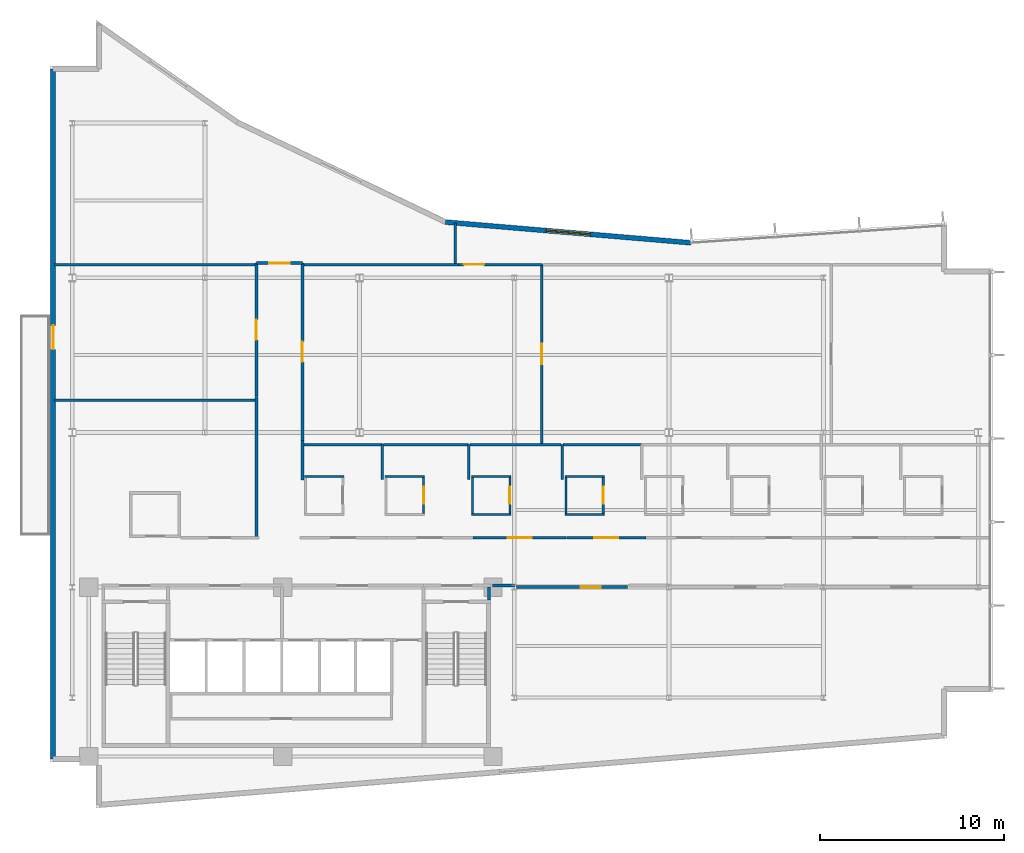
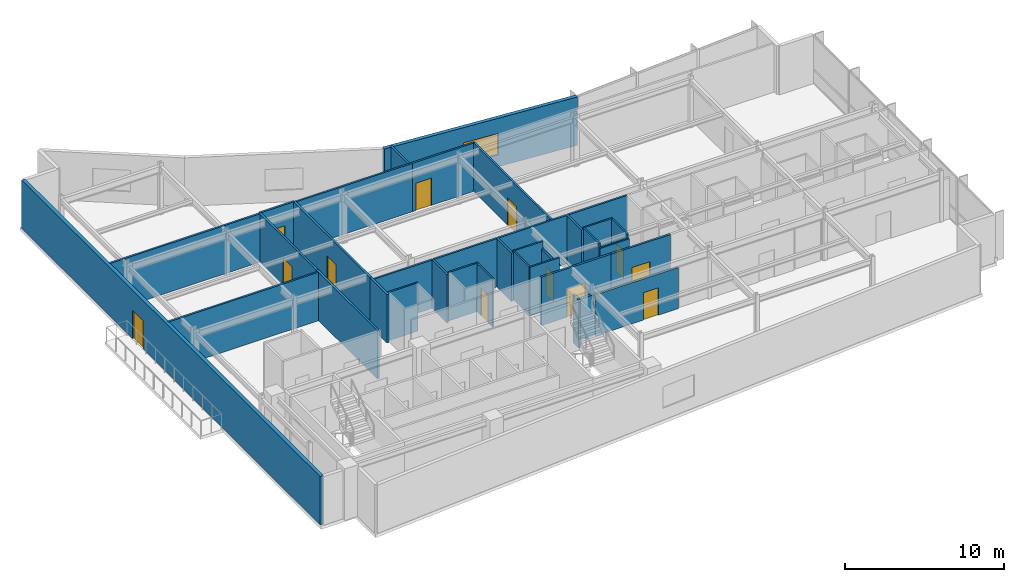
# One storey, part 12 of 17: 36 walls, 12 doors, 1 window, 13 openings.
"""IFC4 building model written with IfcOpenShell, lengths in metres."""

from ifc_helpers import new_model, si_unit, direction, frame, frame_2d, origin, place, context, subcontext, project, spatial, rectangle, extrude, material, layer, layer_set, type_object, element, fill, save


model = new_model("IFC4")

# Units and contexts
model_context = context("Model", 3, precision=1e-05, world=origin(), true_north=direction((0.0, 1.0)))
body_context = subcontext(model_context, "Body", "Model", "MODEL_VIEW")
ifc_project = project(units=[si_unit("LENGTHUNIT", "METRE"), si_unit("AREAUNIT", "SQUARE_METRE"), si_unit("VOLUMEUNIT", "CUBIC_METRE"), si_unit("PLANEANGLEUNIT", "RADIAN"), si_unit("MASSUNIT", "GRAM", prefix="KILO")], contexts=[model_context])

# Site, building, storey
site_placement = place(None, origin())
site = spatial("IfcSite", under=ifc_project, at=site_placement, CompositionType="ELEMENT")
building_placement = place(site_placement, origin())
building = spatial("IfcBuilding", under=site, at=building_placement, Name="Varnakote Quay Hospital", CompositionType="ELEMENT")
storey_placement = place(building_placement, frame((0.0, 0.0, 227.64990234375)))
storey = spatial("IfcBuildingStorey", under=building, at=storey_placement, Name="L56", CompositionType="ELEMENT", Elevation=227.64990234375)

# Walls
ifc_material_1 = material(Name="Fire-rated acoustic gypsum stud wall", Category="gypsum")
ifc_layer_1 = layer(ifc_material_1, 0.159912109375)
ifc_layer_set_1 = layer_set([ifc_layer_1], Name="Fire-rated acoustic gypsum stud wall")
wall_type_1 = type_object("IfcWallType", Name="WL-COMP-160", PredefinedType="PARTITIONING", material=ifc_layer_set_1)
wall_1_placement = place(storey_placement, frame((23.820068359375, 11.300048828125, 0.0), z_axis=(0.0, 0.0, 1.0), x_axis=(0.0, 1.0, 0.0)))
element("IfcWall", 1, at=wall_1_placement, inside=storey, type_object=wall_type_1, Name="L56 East Stair Vestibule East Wall", PredefinedType="PARTITIONING", context=body_context, shape_type="SweptSolid", body=[
    extrude(rectangle(XDim=0.699951171875, YDim=0.159912109375, at=frame_2d((0.35009765625, 0.0))), origin(), (0.0, 0.0, 1.0), 3.710205078125),
])
wall_2_placement = place(storey_placement, frame((24.02001953125, 12.080078125, 0.0), z_axis=(0.0, 0.0, 1.0), x_axis=(1.0, 0.0, 0.0)))
element("IfcWall", 2, at=wall_2_placement, inside=storey, type_object=wall_type_1, Name="L56 Corridor South Gap Wall", PredefinedType="PARTITIONING", context=body_context, shape_type="SweptSolid", body=[
    extrude(rectangle(XDim=1.21875, YDim=0.159912109375, at=frame_2d((0.609375, 0.0))), origin(), (0.0, 0.0, 1.0), 3.152099609375),
])
ifc_material_2 = material(Name="Moisture-resistant bathroom partition", Category="gypsum")
ifc_layer_2 = layer(ifc_material_2, 0.114990234375)
ifc_layer_set_2 = layer_set([ifc_layer_2], Name="Moisture-resistant bathroom partition")
wall_type_2 = type_object("IfcWallType", Name="WL-ENS-115", PredefinedType="PARTITIONING", material=ifc_layer_set_2)
wall_3_placement = place(storey_placement, frame((13.804931640625, 18.017578125, 0.0), z_axis=(0.0, 0.0, 1.0), x_axis=(1.0, 0.0, 0.0)))
element("IfcWall", 3, at=wall_3_placement, inside=storey, type_object=wall_type_2, Name="L56 Inpatient En-Suite Bathroom 01 N Wall", PredefinedType="PARTITIONING", context=body_context, shape_type="SweptSolid", body=[
    extrude(rectangle(XDim=2.150146484375, YDim=0.114990234375, at=frame_2d((1.0751953125, 0.0))), origin(), (0.0, 0.0, 1.0), 3.710205078125),
])
wall_4_placement = place(storey_placement, frame((18.18505859375, 18.017578125, 0.0), z_axis=(0.0, 0.0, 1.0), x_axis=(1.0, 0.0, 0.0)))
element("IfcWall", 4, at=wall_4_placement, inside=storey, type_object=wall_type_2, Name="L56 Inpatient En-Suite Bathroom 02 N Wall", PredefinedType="PARTITIONING", context=body_context, shape_type="SweptSolid", body=[
    extrude(rectangle(XDim=2.14990234375, YDim=0.114990234375, at=frame_2d((1.074951171875, 0.0))), origin(), (0.0, 0.0, 1.0), 3.710205078125),
])

# Wall, opening, door
wall_5_placement = place(storey_placement, frame((20.277587890625, 16.010009765625, 0.0), z_axis=(0.0, 0.0, 1.0), x_axis=(0.0, 1.0, 0.0)))
wall_5 = element("IfcWall", 5, at=wall_5_placement, inside=storey, type_object=wall_type_2, Name="L56 Inpatient En-Suite Bathroom 02 E Wall", PredefinedType="PARTITIONING", context=body_context, shape_type="SweptSolid", body=[
    extrude(rectangle(XDim=1.949951171875, YDim=0.114990234375, at=frame_2d((0.97509765625, 0.0))), origin(), (0.0, 0.0, 1.0), 3.710205078125),
])
opening_1_placement = place(wall_5_placement, frame((0.514892578125, 0.0, 0.0)))
opening_1 = element("IfcOpeningElement", 6, at=opening_1_placement, cuts=wall_5, Name="Opening D-L56-ENS02", PredefinedType="OPENING", context=body_context, shape_type="SweptSolid", body=[
    extrude(rectangle(XDim=0.919921875, YDim=2.10009765625, at=frame_2d((0.4599609375, 1.050048828125))), frame((0.0, 0.0673828125, 0.0), z_axis=(0.0, -1.0, 0.0), x_axis=(1.0, 0.0, 0.0)), (0.0, 0.0, 1.0), 0.135009765625),
])
ifc_material_3 = material(Name="Moisture-sealed en-suite bathroom door")
door_type_1 = type_object("IfcDoorType", Name="DR-ENS-920x2100", OperationType="NOTDEFINED", PredefinedType="DOOR", material=ifc_material_3)
door_1_placement = place(opening_1_placement, origin())
door_1 = element("IfcDoor", 7, at=door_1_placement, inside=storey, type_object=door_type_1, Name="L56 Inpatient En-Suite Bathroom 02 Door", OperationType="SINGLE_SWING_RIGHT", OverallHeight=2.10009765625, OverallWidth=0.919921875, PredefinedType="DOOR", context=body_context, shape_type="SweptSolid", body=[
    extrude(rectangle(XDim=0.919921875, YDim=2.10009765625, at=frame_2d((0.4599609375, 1.050048828125))), frame((0.0, 0.02490234375, 0.0), z_axis=(0.0, -1.0, 0.0), x_axis=(1.0, 0.0, 0.0)), (0.0, 0.0, 1.0), 0.050048828125),
])
fill(opening_1, door_1)

# Walls
for number, where, z_axis, x_axis, name in (
    (8, (22.875, 15.952392578125, 0.0), (0.0, 0.0, 1.0), (1.0, 0.0, 0.0), "L56 Inpatient En-Suite Bathroom 03 S Wall"),
    (9, (22.875, 18.017578125, 0.0), (0.0, 0.0, 1.0), (1.0, 0.0, 0.0), "L56 Inpatient En-Suite Bathroom 03 N Wall"),
):
    element("IfcWall", number, at=place(storey_placement, frame(where, z_axis=z_axis, x_axis=x_axis)), inside=storey, type_object=wall_type_2, Name=name, PredefinedType="PARTITIONING", context=body_context, shape_type="SweptSolid", body=[
        extrude(rectangle(XDim=2.14990234375, YDim=0.114990234375, at=frame_2d((1.074951171875, 0.0))), origin(), (0.0, 0.0, 1.0), 3.710205078125),
    ])
wall_6_placement = place(storey_placement, frame((22.9326171875, 16.010009765625, 0.0), z_axis=(0.0, 0.0, 1.0), x_axis=(0.0, 1.0, 0.0)))
element("IfcWall", 10, at=wall_6_placement, inside=storey, type_object=wall_type_2, Name="L56 Inpatient En-Suite Bathroom 03 W Wall", PredefinedType="PARTITIONING", context=body_context, shape_type="SweptSolid", body=[
    extrude(rectangle(XDim=1.949951171875, YDim=0.114990234375, at=frame_2d((0.97509765625, 0.0))), origin(), (0.0, 0.0, 1.0), 3.710205078125),
])

# Wall, opening, door
wall_7_placement = place(storey_placement, frame((24.967529296875, 16.010009765625, 0.0), z_axis=(0.0, 0.0, 1.0), x_axis=(0.0, 1.0, 0.0)))
wall_7 = element("IfcWall", 11, at=wall_7_placement, inside=storey, type_object=wall_type_2, Name="L56 Inpatient En-Suite Bathroom 03 E Wall", PredefinedType="PARTITIONING", context=body_context, shape_type="SweptSolid", body=[
    extrude(rectangle(XDim=1.949951171875, YDim=0.114990234375, at=frame_2d((0.97509765625, 0.0))), origin(), (0.0, 0.0, 1.0), 3.156982421875),
])
opening_2_placement = place(wall_7_placement, frame((0.514892578125, 0.0, 0.0)))
opening_2 = element("IfcOpeningElement", 12, at=opening_2_placement, cuts=wall_7, Name="Opening D-L56-ENS03", PredefinedType="OPENING", context=body_context, shape_type="SweptSolid", body=[
    extrude(rectangle(XDim=0.919921875, YDim=2.10009765625, at=frame_2d((0.4599609375, 1.050048828125))), frame((0.0, 0.0673828125, 0.0), z_axis=(0.0, -1.0, 0.0), x_axis=(1.0, 0.0, 0.0)), (0.0, 0.0, 1.0), 0.135009765625),
])
door_2_placement = place(opening_2_placement, origin())
door_2 = element("IfcDoor", 13, at=door_2_placement, inside=storey, type_object=door_type_1, Name="L56 Inpatient En-Suite Bathroom 03 Door", OperationType="SINGLE_SWING_LEFT", OverallHeight=2.10009765625, OverallWidth=0.919921875, PredefinedType="DOOR", context=body_context, shape_type="SweptSolid", body=[
    extrude(rectangle(XDim=0.919921875, YDim=2.10009765625, at=frame_2d((0.4599609375, 1.050048828125))), frame((0.0, 0.02490234375, 0.0), z_axis=(0.0, -1.0, 0.0), x_axis=(1.0, 0.0, 0.0)), (0.0, 0.0, 1.0), 0.050048828125),
])
fill(opening_2, door_2)

# Walls
wall_8_placement = place(storey_placement, frame((27.945068359375, 15.952392578125, 0.0), z_axis=(0.0, 0.0, 1.0), x_axis=(1.0, 0.0, 0.0)))
element("IfcWall", 14, at=wall_8_placement, inside=storey, type_object=wall_type_2, Name="L56 Inpatient En-Suite Bathroom 04 S Wall", PredefinedType="PARTITIONING", context=body_context, shape_type="SweptSolid", body=[
    extrude(rectangle(XDim=2.14990234375, YDim=0.114990234375, at=frame_2d((1.074951171875, 0.0))), origin(), (0.0, 0.0, 1.0), 3.378173828125),
])
wall_9_placement = place(storey_placement, frame((27.945068359375, 18.017578125, 0.0), z_axis=(0.0, 0.0, 1.0), x_axis=(1.0, 0.0, 0.0)))
element("IfcWall", 15, at=wall_9_placement, inside=storey, type_object=wall_type_2, Name="L56 Inpatient En-Suite Bathroom 04 N Wall", PredefinedType="PARTITIONING", context=body_context, shape_type="SweptSolid", body=[
    extrude(rectangle(XDim=2.14990234375, YDim=0.114990234375, at=frame_2d((1.074951171875, 0.0))), origin(), (0.0, 0.0, 1.0), 3.710205078125),
])
wall_10_placement = place(storey_placement, frame((28.00244140625, 16.010009765625, 0.0), z_axis=(0.0, 0.0, 1.0), x_axis=(0.0, 1.0, 0.0)))
element("IfcWall", 16, at=wall_10_placement, inside=storey, type_object=wall_type_2, Name="L56 Inpatient En-Suite Bathroom 04 W Wall", PredefinedType="PARTITIONING", context=body_context, shape_type="SweptSolid", body=[
    extrude(rectangle(XDim=1.949951171875, YDim=0.114990234375, at=frame_2d((0.97509765625, 0.0))), origin(), (0.0, 0.0, 1.0), 3.710205078125),
])

# Wall, opening, door
wall_11_placement = place(storey_placement, frame((30.03759765625, 16.010009765625, 0.0), z_axis=(0.0, 0.0, 1.0), x_axis=(0.0, 1.0, 0.0)))
wall_11 = element("IfcWall", 17, at=wall_11_placement, inside=storey, type_object=wall_type_2, Name="L56 Inpatient En-Suite Bathroom 04 E Wall", PredefinedType="PARTITIONING", context=body_context, shape_type="SweptSolid", body=[
    extrude(rectangle(XDim=1.949951171875, YDim=0.114990234375, at=frame_2d((0.97509765625, 0.0))), origin(), (0.0, 0.0, 1.0), 3.710205078125),
])
opening_3_placement = place(wall_11_placement, frame((0.514892578125, 0.0, 0.0)))
opening_3 = element("IfcOpeningElement", 18, at=opening_3_placement, cuts=wall_11, Name="Opening D-L56-ENS04", PredefinedType="OPENING", context=body_context, shape_type="SweptSolid", body=[
    extrude(rectangle(XDim=0.919921875, YDim=2.10009765625, at=frame_2d((0.4599609375, 1.050048828125))), frame((0.0, 0.0673828125, 0.0), z_axis=(0.0, -1.0, 0.0), x_axis=(1.0, 0.0, 0.0)), (0.0, 0.0, 1.0), 0.135009765625),
])
door_3_placement = place(opening_3_placement, origin())
door_3 = element("IfcDoor", 19, at=door_3_placement, inside=storey, type_object=door_type_1, Name="L56 Inpatient En-Suite Bathroom 04 Door", OperationType="SINGLE_SWING_RIGHT", OverallHeight=2.10009765625, OverallWidth=0.919921875, PredefinedType="DOOR", context=body_context, shape_type="SweptSolid", body=[
    extrude(rectangle(XDim=0.919921875, YDim=2.10009765625, at=frame_2d((0.4599609375, 1.050048828125))), frame((0.0, 0.02490234375, 0.0), z_axis=(0.0, -1.0, 0.0), x_axis=(1.0, 0.0, 0.0)), (0.0, 0.0, 1.0), 0.050048828125),
])
fill(opening_3, door_3)

# Wall, opening, window
ifc_material_4 = material(Name="Precast concrete N50 (f'c 50 MPa)", Category="concrete")
ifc_layer_3 = layer(ifc_material_4, 0.260009765625)
ifc_layer_set_3 = layer_set([ifc_layer_3], Name="Precast concrete N50 (f'c 50 MPa)")
wall_type_3 = type_object("IfcWallType", Name="WL-EXT-BRICK-260", PredefinedType="STANDARD", material=ifc_layer_set_3)
wall_12_placement = place(storey_placement, frame((34.814697265625, 30.695556640625, 0.0), z_axis=(0.0, 0.0, 1.0), x_axis=(-0.996454704935, 0.084130975344, 0.0)))
wall_12 = element("IfcWall", 20, at=wall_12_placement, inside=storey, type_object=wall_type_3, Name="L56 Brick-Faced Precast Exterior Wall", PredefinedType="STANDARD", context=body_context, shape_type="SweptSolid", body=[
    extrude(rectangle(XDim=13.401123046875, YDim=0.260009765625, at=frame_2d((6.70068359375, 0.0))), origin(), (0.0, 0.0, 1.0), 3.710205078125),
])
opening_4_placement = place(wall_12_placement, frame((5.50048828125, 0.0, 0.89990234375)))
opening_4 = element("IfcOpeningElement", 21, at=opening_4_placement, cuts=wall_12, Name="Opening WN-0231", PredefinedType="OPENING", context=body_context, shape_type="SweptSolid", body=[
    extrude(rectangle(XDim=2.39990234375, YDim=1.64990234375, at=frame_2d((1.199951171875, 0.824951171875))), frame((0.0, 0.139892578125, 0.0), z_axis=(0.0, -1.0, 0.0), x_axis=(1.0, 0.0, 0.0)), (0.0, 0.0, 1.0), 0.280029296875),
])
ifc_material_5 = material(Name="Double-glazed low-E solar glass", Category="glass")
window_type = type_object("IfcWindowType", Name="WIN-CLIN-2400x1650", PartitioningType="SINGLE_PANEL", PredefinedType="WINDOW", material=ifc_material_5)
window_placement = place(opening_4_placement, origin())
window = element("IfcWindow", 22, at=window_placement, inside=storey, type_object=window_type, Name="L56 Solar-Control Clinical Window", OverallHeight=1.64990234375, OverallWidth=2.39990234375, PartitioningType="SINGLE_PANEL", PredefinedType="WINDOW", context=body_context, shape_type="SweptSolid", body=[
    extrude(rectangle(XDim=2.39990234375, YDim=1.64990234375, at=frame_2d((1.199951171875, 0.824951171875))), frame((0.0, 0.030029296875, 0.0), z_axis=(0.0, -1.0, 0.0), x_axis=(1.0, 0.0, 0.0)), (0.0, 0.0, 1.0), 0.06005859375),
])
fill(opening_4, window)

# Wall, opening, door
wall_13_placement = place(storey_placement, frame((0.159912109375, 40.139892578125, 0.0), z_axis=(0.0, 0.0, 1.0), x_axis=(0.0, -1.0, 0.0)))
wall_13 = element("IfcWall", 23, at=wall_13_placement, inside=storey, type_object=wall_type_3, Name="L56 Healing Terrace Portal Brick Wall", PredefinedType="STANDARD", context=body_context, shape_type="SweptSolid", body=[
    extrude(rectangle(XDim=37.47998046875, YDim=0.260009765625, at=frame_2d((18.739990234375, 0.0))), origin(), (0.0, 0.0, 1.0), 3.710205078125),
])
opening_5_placement = place(wall_13_placement, frame((13.925537109375, 0.0, 0.0)))
opening_5 = element("IfcOpeningElement", 24, at=opening_5_placement, cuts=wall_13, Name="Opening DT-L56", PredefinedType="OPENING", context=body_context, shape_type="SweptSolid", body=[
    extrude(rectangle(XDim=1.300048828125, YDim=2.14990234375, at=frame_2d((0.64990234375, 1.074951171875))), frame((0.0, 0.139892578125, 0.0), z_axis=(0.0, -1.0, 0.0), x_axis=(1.0, 0.0, 0.0)), (0.0, 0.0, 1.0), 0.280029296875),
])
ifc_material_6 = material(Name="Anodised aluminium glazed terrace door", Category="aluminium")
door_type_2 = type_object("IfcDoorType", Name="DR-EXT-TERR-1300x2150", OperationType="NOTDEFINED", PredefinedType="DOOR", material=ifc_material_6)
door_4_placement = place(opening_5_placement, origin())
door_4 = element("IfcDoor", 25, at=door_4_placement, inside=storey, type_object=door_type_2, Name="L56 Waterfront Healing Terrace Door", OperationType="SINGLE_SWING_LEFT", OverallHeight=2.14990234375, OverallWidth=1.300048828125, PredefinedType="DOOR", context=body_context, shape_type="SweptSolid", body=[
    extrude(rectangle(XDim=1.300048828125, YDim=2.14990234375, at=frame_2d((0.64990234375, 1.074951171875))), frame((0.0, 0.02490234375, 0.0), z_axis=(0.0, -1.0, 0.0), x_axis=(1.0, 0.0, 0.0)), (0.0, 0.0, 1.0), 0.050048828125),
])
fill(opening_5, door_4)

# Walls
ifc_material_7 = material(Name="Smoke-proof clinical partition", Category="gypsum")
ifc_layer_4 = layer(ifc_material_7, 0.135009765625)
ifc_layer_set_4 = layer_set([ifc_layer_4], Name="Smoke-proof clinical partition")
wall_type_4 = type_object("IfcWallType", Name="WL-SMOKE-135", PredefinedType="PARTITIONING", material=ifc_layer_set_4)
for number, where, z_axis, x_axis, name in (
    (26, (11.1201171875, 22.139892578125, 0.0), (0.0, 0.0, 1.0), (-1.0, 0.0, 0.0), "L56 Clinical Interior Partition"),
    (27, (11.1201171875, 29.52001953125, 0.0), (0.0, 0.0, 1.0), (-1.0, 0.0, 0.0), "L56 Clinical Interior Partition"),
):
    element("IfcWall", number, at=place(storey_placement, frame(where, z_axis=z_axis, x_axis=x_axis)), inside=storey, type_object=wall_type_4, Name=name, PredefinedType="PARTITIONING", context=body_context, shape_type="SweptSolid", body=[
        extrude(rectangle(XDim=10.880126953125, YDim=0.135009765625, at=frame_2d((5.43994140625, 0.0))), origin(), (0.0, 0.0, 1.0), 3.710205078125),
    ])
wall_14_placement = place(storey_placement, frame((18.0400390625, 17.83251953125, 0.0), z_axis=(0.0, 0.0, 1.0), x_axis=(0.0, 1.0, 0.0)))
element("IfcWall", 28, at=wall_14_placement, inside=storey, type_object=wall_type_4, Name="L56 Clinical Interior Partition", PredefinedType="PARTITIONING", context=body_context, shape_type="SweptSolid", body=[
    extrude(rectangle(XDim=1.907470703125, YDim=0.135009765625, at=frame_2d((0.95361328125, 0.0))), origin(), (0.0, 0.0, 1.0), 3.710205078125),
])
wall_15_placement = place(storey_placement, frame((18.0400390625, 19.739990234375, 0.0), z_axis=(0.0, 0.0, 1.0), x_axis=(-1.0, 0.0, 0.0)))
element("IfcWall", 29, at=wall_15_placement, inside=storey, type_object=wall_type_4, Name="L56 Clinical Interior Partition", PredefinedType="PARTITIONING", context=body_context, shape_type="SweptSolid", body=[
    extrude(rectangle(XDim=4.260009765625, YDim=0.135009765625, at=frame_2d((2.1298828125, 0.0))), origin(), (0.0, 0.0, 1.0), 3.710205078125),
])
wall_16_placement = place(storey_placement, frame((22.72998046875, 17.83251953125, 0.0), z_axis=(0.0, 0.0, 1.0), x_axis=(0.0, 1.0, 0.0)))
element("IfcWall", 30, at=wall_16_placement, inside=storey, type_object=wall_type_4, Name="L56 Clinical Interior Partition", PredefinedType="PARTITIONING", context=body_context, shape_type="SweptSolid", body=[
    extrude(rectangle(XDim=1.907470703125, YDim=0.135009765625, at=frame_2d((0.95361328125, 0.0))), origin(), (0.0, 0.0, 1.0), 3.710205078125),
])
wall_17_placement = place(storey_placement, frame((22.72998046875, 19.739990234375, 0.0), z_axis=(0.0, 0.0, 1.0), x_axis=(-1.0, 0.0, 0.0)))
element("IfcWall", 31, at=wall_17_placement, inside=storey, type_object=wall_type_4, Name="L56 Clinical Interior Partition", PredefinedType="PARTITIONING", context=body_context, shape_type="SweptSolid", body=[
    extrude(rectangle(XDim=4.632568359375, YDim=0.135009765625, at=frame_2d((2.31640625, 0.0))), origin(), (0.0, 0.0, 1.0), 3.710205078125),
])
wall_18_placement = place(storey_placement, frame((27.800048828125, 17.83251953125, 0.0), z_axis=(0.0, 0.0, 1.0), x_axis=(0.0, 1.0, 0.0)))
element("IfcWall", 32, at=wall_18_placement, inside=storey, type_object=wall_type_4, Name="L56 Clinical Interior Partition", PredefinedType="PARTITIONING", context=body_context, shape_type="SweptSolid", body=[
    extrude(rectangle(XDim=1.907470703125, YDim=0.135009765625, at=frame_2d((0.95361328125, 0.0))), origin(), (0.0, 0.0, 1.0), 3.710205078125),
])
wall_19_placement = place(storey_placement, frame((27.742431640625, 19.739990234375, 0.0), z_axis=(0.0, 0.0, 1.0), x_axis=(-1.0, 0.0, 0.0)))
element("IfcWall", 33, at=wall_19_placement, inside=storey, type_object=wall_type_4, Name="L56 Clinical Interior Partition", PredefinedType="PARTITIONING", context=body_context, shape_type="SweptSolid", body=[
    extrude(rectangle(XDim=4.954833984375, YDim=0.135009765625, at=frame_2d((2.4775390625, 0.0))), origin(), (0.0, 0.0, 1.0), 3.710205078125),
])
wall_20_placement = place(storey_placement, frame((32.1201171875, 19.739990234375, 0.0), z_axis=(0.0, 0.0, 1.0), x_axis=(-1.0, 0.0, 0.0)))
element("IfcWall", 34, at=wall_20_placement, inside=storey, type_object=wall_type_4, Name="L56 Clinical Interior Partition", PredefinedType="PARTITIONING", context=body_context, shape_type="SweptSolid", body=[
    extrude(rectangle(XDim=4.2626953125, YDim=0.135009765625, at=frame_2d((2.13134765625, 0.0))), origin(), (0.0, 0.0, 1.0), 3.710205078125),
])

# Wall, opening, door
wall_21_placement = place(storey_placement, frame((26.699951171875, 19.797607421875, 0.0), z_axis=(0.0, 0.0, 1.0), x_axis=(0.0, 1.0, 0.0)))
wall_21 = element("IfcWall", 35, at=wall_21_placement, inside=storey, type_object=wall_type_4, Name="L56 Clinical Interior Partition", PredefinedType="PARTITIONING", context=body_context, shape_type="SweptSolid", body=[
    extrude(rectangle(XDim=9.722412109375, YDim=0.135009765625, at=frame_2d((4.861328125, 0.0))), origin(), (0.0, 0.0, 1.0), 3.710205078125),
])
opening_6_placement = place(wall_21_placement, frame((4.311279296875, 0.0, 0.0)))
opening_6 = element("IfcOpeningElement", 36, at=opening_6_placement, cuts=wall_21, Name="Opening D-L56-MD03", PredefinedType="OPENING", context=body_context, shape_type="SweptSolid", body=[
    extrude(rectangle(XDim=1.10009765625, YDim=2.10009765625, at=frame_2d((0.550048828125, 1.050048828125))), frame((0.0, 0.077392578125, 0.0), z_axis=(0.0, -1.0, 0.0), x_axis=(1.0, 0.0, 0.0)), (0.0, 0.0, 1.0), 0.155029296875),
])
ifc_material_8 = material(Name="Acoustic timber clinical consult door", Category="wood")
door_type_3 = type_object("IfcDoorType", Name="DR-CLIN-FD30S-1100x2100", OperationType="NOTDEFINED", PredefinedType="DOOR", material=ifc_material_8)
door_5_placement = place(opening_6_placement, origin())
door_5 = element("IfcDoor", 37, at=door_5_placement, inside=storey, type_object=door_type_3, Name="L56 Multidisciplinary Audit Meeting Room Door", OperationType="SINGLE_SWING_RIGHT", OverallHeight=2.10009765625, OverallWidth=1.10009765625, PredefinedType="DOOR", context=body_context, shape_type="SweptSolid", body=[
    extrude(rectangle(XDim=1.10009765625, YDim=2.10009765625, at=frame_2d((0.550048828125, 1.050048828125))), frame((0.0, 0.02490234375, 0.0), z_axis=(0.0, -1.0, 0.0), x_axis=(1.0, 0.0, 0.0)), (0.0, 0.0, 1.0), 0.050048828125),
])
fill(opening_6, door_5)

# Wall
wall_22_placement = place(storey_placement, frame((22.1845703125, 29.52001953125, 0.0), z_axis=(0.0, 0.0, 1.0), x_axis=(-1.0, 0.0, 0.0)))
element("IfcWall", 38, at=wall_22_placement, inside=storey, type_object=wall_type_4, Name="L56 Clinical Interior Partition", PredefinedType="PARTITIONING", context=body_context, shape_type="SweptSolid", body=[
    extrude(rectangle(XDim=8.404541015625, YDim=0.135009765625, at=frame_2d((4.2021484375, 0.0))), origin(), (0.0, 0.0, 1.0), 3.710205078125),
])

# Wall, opening, door
wall_23_placement = place(storey_placement, frame((26.699951171875, 29.52001953125, 0.0), z_axis=(0.0, 0.0, 1.0), x_axis=(-1.0, 0.0, 0.0)))
wall_23 = element("IfcWall", 39, at=wall_23_placement, inside=storey, type_object=wall_type_4, Name="L56 Clinical Interior Partition", PredefinedType="PARTITIONING", context=body_context, shape_type="SweptSolid", body=[
    extrude(rectangle(XDim=4.513427734375, YDim=0.135009765625, at=frame_2d((2.2568359375, 0.0))), origin(), (0.0, 0.0, 1.0), 3.710205078125),
])
opening_7_placement = place(wall_23_placement, frame((3.13818359375, 0.0, 0.0)))
opening_7 = element("IfcOpeningElement", 40, at=opening_7_placement, cuts=wall_23, Name="Opening D-L56-MD06", PredefinedType="OPENING", context=body_context, shape_type="SweptSolid", body=[
    extrude(rectangle(XDim=1.10009765625, YDim=2.10009765625, at=frame_2d((0.550048828125, 1.050048828125))), frame((0.0, 0.077392578125, 0.0), z_axis=(0.0, -1.0, 0.0), x_axis=(1.0, 0.0, 0.0)), (0.0, 0.0, 1.0), 0.155029296875),
])
door_6_placement = place(opening_7_placement, origin())
door_6 = element("IfcDoor", 41, at=door_6_placement, inside=storey, type_object=door_type_3, Name="L56 Vascular Observation Treatment Suite Door", OperationType="SINGLE_SWING_LEFT", OverallHeight=2.10009765625, OverallWidth=1.10009765625, PredefinedType="DOOR", context=body_context, shape_type="SweptSolid", body=[
    extrude(rectangle(XDim=1.10009765625, YDim=2.10009765625, at=frame_2d((0.550048828125, 1.050048828125))), frame((0.0, 0.02490234375, 0.0), z_axis=(0.0, -1.0, 0.0), x_axis=(1.0, 0.0, 0.0)), (0.0, 0.0, 1.0), 0.050048828125),
])
fill(opening_7, door_6)

# Wall
wall_24_placement = place(storey_placement, frame((21.989990234375, 29.577392578125, 0.0), z_axis=(0.0, 0.0, 1.0), x_axis=(0.0, 1.0, 0.0)))
element("IfcWall", 42, at=wall_24_placement, inside=storey, type_object=wall_type_4, Name="L56 Clinical Interior Partition", PredefinedType="PARTITIONING", context=body_context, shape_type="SweptSolid", body=[
    extrude(rectangle(XDim=2.200927734375, YDim=0.135009765625, at=frame_2d((1.1005859375, 0.0))), origin(), (0.0, 0.0, 1.0), 3.710205078125),
])

# Wall, opening, door
ifc_material_9 = material(Name="Fire-rated clinical gypsum partition", Category="gypsum")
ifc_layer_5 = layer(ifc_material_9, 0.14990234375)
ifc_layer_set_5 = layer_set([ifc_layer_5], Name="Fire-rated clinical gypsum partition")
wall_type_5 = type_object("IfcWallType", Name="WL-WARD-150", PredefinedType="PARTITIONING", material=ifc_layer_set_5)
wall_25_placement = place(storey_placement, frame((31.35009765625, 12.0, 0.0), z_axis=(0.0, 0.0, 1.0), x_axis=(-1.0, 0.0, 0.0)))
wall_25 = element("IfcWall", 43, at=wall_25_placement, inside=storey, type_object=wall_type_5, Name="L56 Clinical Interior Partition", PredefinedType="PARTITIONING", context=body_context, shape_type="SweptSolid", body=[
    extrude(rectangle(XDim=6.022216796875, YDim=0.14990234375, at=frame_2d((3.01123046875, 0.0))), origin(), (0.0, 0.0, 1.0), 3.152099609375),
])
opening_8_placement = place(wall_25_placement, frame((1.443603515625, 0.0, 0.0)))
opening_8 = element("IfcOpeningElement", 44, at=opening_8_placement, cuts=wall_25, Name="Opening D-L56-RL1", PredefinedType="OPENING", context=body_context, shape_type="SweptSolid", body=[
    extrude(rectangle(XDim=1.10009765625, YDim=2.10009765625, at=frame_2d((0.550048828125, 1.050048828125))), frame((0.0, 0.0849609375, 0.0), z_axis=(0.0, -1.0, 0.0), x_axis=(1.0, 0.0, 0.0)), (0.0, 0.0, 1.0), 0.169921875),
])
door_7_placement = place(opening_8_placement, origin())
door_7 = element("IfcDoor", 45, at=door_7_placement, inside=storey, type_object=door_type_3, Name="L56 Day Infusion Treatment Suite Door", OperationType="SINGLE_SWING_LEFT", OverallHeight=2.10009765625, OverallWidth=1.10009765625, PredefinedType="DOOR", context=body_context, shape_type="SweptSolid", body=[
    extrude(rectangle(XDim=1.10009765625, YDim=2.10009765625, at=frame_2d((0.550048828125, 1.050048828125))), frame((0.0, 0.02490234375, 0.0), z_axis=(0.0, -1.0, 0.0), x_axis=(1.0, 0.0, 0.0)), (0.0, 0.0, 1.0), 0.050048828125),
])
fill(opening_8, door_7)

wall_26_placement = place(storey_placement, frame((28.02587890625, 14.679931640625, 0.0), z_axis=(0.0, 0.0, 1.0), x_axis=(-1.0, 0.0, 0.0)))
wall_26 = element("IfcWall", 46, at=wall_26_placement, inside=storey, type_object=wall_type_5, Name="L56 Clinical Interior Partition", PredefinedType="PARTITIONING", context=body_context, shape_type="SweptSolid", body=[
    extrude(rectangle(XDim=5.06787109375, YDim=0.14990234375, at=frame_2d((2.533935546875, 0.0))), origin(), (0.0, 0.0, 1.0), 3.710205078125),
])
opening_9_placement = place(wall_26_placement, frame((1.884033203125, 0.0, 0.0)))
opening_9 = element("IfcOpeningElement", 47, at=opening_9_placement, cuts=wall_26, Name="Opening D-L56-BR03", PredefinedType="OPENING", context=body_context, shape_type="SweptSolid", body=[
    extrude(rectangle(XDim=1.300048828125, YDim=2.14990234375, at=frame_2d((0.64990234375, 1.074951171875))), frame((0.0, 0.0849609375, 0.0), z_axis=(0.0, -1.0, 0.0), x_axis=(1.0, 0.0, 0.0)), (0.0, 0.0, 1.0), 0.169921875),
])
ifc_material_10 = material(Name="Solid-core timber clinical bed door", Category="wood")
door_type_4 = type_object("IfcDoorType", Name="DR-WARD-FD30S-1300x2150", OperationType="NOTDEFINED", PredefinedType="DOOR", material=ifc_material_10)
door_8_placement = place(opening_9_placement, origin())
door_8 = element("IfcDoor", 48, at=door_8_placement, inside=storey, type_object=door_type_4, Name="L56 Resident Care Bedroom 03 Door", OperationType="SINGLE_SWING_LEFT", OverallHeight=2.14990234375, OverallWidth=1.300048828125, PredefinedType="DOOR", context=body_context, shape_type="SweptSolid", body=[
    extrude(rectangle(XDim=1.300048828125, YDim=2.14990234375, at=frame_2d((0.64990234375, 1.074951171875))), frame((0.0, 0.02490234375, 0.0), z_axis=(0.0, -1.0, 0.0), x_axis=(1.0, 0.0, 0.0)), (0.0, 0.0, 1.0), 0.050048828125),
])
fill(opening_9, door_8)

wall_27_placement = place(storey_placement, frame((32.345947265625, 14.679931640625, 0.0), z_axis=(0.0, 0.0, 1.0), x_axis=(-1.0, 0.0, 0.0)))
wall_27 = element("IfcWall", 49, at=wall_27_placement, inside=storey, type_object=wall_type_5, Name="L56 Clinical Interior Partition", PredefinedType="PARTITIONING", context=body_context, shape_type="SweptSolid", body=[
    extrude(rectangle(XDim=4.31787109375, YDim=0.14990234375, at=frame_2d((2.158935546875, 0.0))), origin(), (0.0, 0.0, 1.0), 3.710205078125),
])
opening_10_placement = place(wall_27_placement, frame((1.509033203125, 0.0, 0.0)))
opening_10 = element("IfcOpeningElement", 50, at=opening_10_placement, cuts=wall_27, Name="Opening D-L56-BR04", PredefinedType="OPENING", context=body_context, shape_type="SweptSolid", body=[
    extrude(rectangle(XDim=1.300048828125, YDim=2.14990234375, at=frame_2d((0.64990234375, 1.074951171875))), frame((0.0, 0.0849609375, 0.0), z_axis=(0.0, -1.0, 0.0), x_axis=(1.0, 0.0, 0.0)), (0.0, 0.0, 1.0), 0.169921875),
])
door_9_placement = place(opening_10_placement, origin())
door_9 = element("IfcDoor", 51, at=door_9_placement, inside=storey, type_object=door_type_4, Name="L56 Resident Care Bedroom 04 Door", OperationType="SINGLE_SWING_RIGHT", OverallHeight=2.14990234375, OverallWidth=1.300048828125, PredefinedType="DOOR", context=body_context, shape_type="SweptSolid", body=[
    extrude(rectangle(XDim=1.300048828125, YDim=2.14990234375, at=frame_2d((0.64990234375, 1.074951171875))), frame((0.0, 0.02490234375, 0.0), z_axis=(0.0, -1.0, 0.0), x_axis=(1.0, 0.0, 0.0)), (0.0, 0.0, 1.0), 0.050048828125),
])
fill(opening_10, door_9)

# Wall
wall_28_placement = place(storey_placement, frame((11.199951171875, 22.365966796875, 0.0), z_axis=(0.0, 0.0, 1.0), x_axis=(0.0, -1.0, 0.0)))
element("IfcWall", 52, at=wall_28_placement, inside=storey, type_object=wall_type_5, Name="L56 Clinical Interior Partition", PredefinedType="PARTITIONING", context=body_context, shape_type="SweptSolid", body=[
    extrude(rectangle(XDim=7.666015625, YDim=0.14990234375, at=frame_2d((3.8330078125, 0.0))), origin(), (0.0, 0.0, 1.0), 3.710205078125),
])

# Wall, opening, door
wall_29_placement = place(storey_placement, frame((11.199951171875, 29.60009765625, 0.0), z_axis=(0.0, 0.0, 1.0), x_axis=(0.0, -1.0, 0.0)))
wall_29 = element("IfcWall", 53, at=wall_29_placement, inside=storey, type_object=wall_type_5, Name="L56 Clinical Interior Partition", PredefinedType="PARTITIONING", context=body_context, shape_type="SweptSolid", body=[
    extrude(rectangle(XDim=7.232177734375, YDim=0.14990234375, at=frame_2d((3.6162109375, 0.0))), origin(), (0.0, 0.0, 1.0), 3.710205078125),
])
opening_11_placement = place(wall_29_placement, frame((3.06591796875, 0.0, 0.0)))
opening_11 = element("IfcOpeningElement", 54, at=opening_11_placement, cuts=wall_29, Name="Opening D-L56-MD01", PredefinedType="OPENING", context=body_context, shape_type="SweptSolid", body=[
    extrude(rectangle(XDim=1.10009765625, YDim=2.10009765625, at=frame_2d((0.550048828125, 1.050048828125))), frame((0.0, 0.0849609375, 0.0), z_axis=(0.0, -1.0, 0.0), x_axis=(1.0, 0.0, 0.0)), (0.0, 0.0, 1.0), 0.169921875),
])
door_10_placement = place(opening_11_placement, origin())
door_10 = element("IfcDoor", 55, at=door_10_placement, inside=storey, type_object=door_type_3, Name="L56 Outpatient Specialist Consult Office Door", OperationType="SINGLE_SWING_LEFT", OverallHeight=2.10009765625, OverallWidth=1.10009765625, PredefinedType="DOOR", context=body_context, shape_type="SweptSolid", body=[
    extrude(rectangle(XDim=1.10009765625, YDim=2.10009765625, at=frame_2d((0.550048828125, 1.050048828125))), frame((0.0, 0.02490234375, 0.0), z_axis=(0.0, -1.0, 0.0), x_axis=(1.0, 0.0, 0.0)), (0.0, 0.0, 1.0), 0.050048828125),
])
fill(opening_11, door_10)

# Wall
wall_30_placement = place(storey_placement, frame((13.699951171875, 17.81396484375, 0.0), z_axis=(0.0, 0.0, 1.0), x_axis=(0.0, 1.0, 0.0)))
element("IfcWall", 56, at=wall_30_placement, inside=storey, type_object=wall_type_5, Name="L56 Clinical Interior Partition", PredefinedType="PARTITIONING", context=body_context, shape_type="SweptSolid", body=[
    extrude(rectangle(XDim=2.152099609375, YDim=0.14990234375, at=frame_2d((1.076171875, 0.0))), origin(), (0.0, 0.0, 1.0), 3.710205078125),
])

# Wall, opening, door
wall_31_placement = place(storey_placement, frame((13.699951171875, 19.968017578125, 0.0), z_axis=(0.0, 0.0, 1.0), x_axis=(0.0, 1.0, 0.0)))
wall_31 = element("IfcWall", 57, at=wall_31_placement, inside=storey, type_object=wall_type_5, Name="L56 Clinical Interior Partition", PredefinedType="PARTITIONING", context=body_context, shape_type="SweptSolid", body=[
    extrude(rectangle(XDim=9.632080078125, YDim=0.14990234375, at=frame_2d((4.81591796875, 0.0))), origin(), (0.0, 0.0, 1.0), 3.710205078125),
])
opening_12_placement = place(wall_31_placement, frame((4.26611328125, 0.0, 0.0)))
opening_12 = element("IfcOpeningElement", 58, at=opening_12_placement, cuts=wall_31, Name="Opening D-L56-MD02", PredefinedType="OPENING", context=body_context, shape_type="SweptSolid", body=[
    extrude(rectangle(XDim=1.10009765625, YDim=2.10009765625, at=frame_2d((0.550048828125, 1.050048828125))), frame((0.0, 0.0849609375, 0.0), z_axis=(0.0, -1.0, 0.0), x_axis=(1.0, 0.0, 0.0)), (0.0, 0.0, 1.0), 0.169921875),
])
door_11_placement = place(opening_12_placement, origin())
door_11 = element("IfcDoor", 59, at=door_11_placement, inside=storey, type_object=door_type_3, Name="L56 Vascular Observation Treatment Suite Door", OperationType="SINGLE_SWING_RIGHT", OverallHeight=2.10009765625, OverallWidth=1.10009765625, PredefinedType="DOOR", context=body_context, shape_type="SweptSolid", body=[
    extrude(rectangle(XDim=1.10009765625, YDim=2.10009765625, at=frame_2d((0.550048828125, 1.050048828125))), frame((0.0, 0.02490234375, 0.0), z_axis=(0.0, -1.0, 0.0), x_axis=(1.0, 0.0, 0.0)), (0.0, 0.0, 1.0), 0.050048828125),
])
fill(opening_12, door_11)

wall_32_placement = place(storey_placement, frame((13.699951171875, 29.60009765625, 0.0), z_axis=(0.0, 0.0, 1.0), x_axis=(-1.0, 0.0, 0.0)))
wall_32 = element("IfcWall", 60, at=wall_32_placement, inside=storey, type_object=wall_type_5, Name="L56 Clinical Interior Partition", PredefinedType="PARTITIONING", context=body_context, shape_type="SweptSolid", body=[
    extrude(rectangle(XDim=2.5, YDim=0.14990234375, at=frame_2d((1.25, 0.0))), origin(), (0.0, 0.0, 1.0), 3.710205078125),
])
opening_13_placement = place(wall_32_placement, frame((0.699951171875, 0.0, 0.0)))
opening_13 = element("IfcOpeningElement", 61, at=opening_13_placement, cuts=wall_32, Name="Opening D-L56-MD05", PredefinedType="OPENING", context=body_context, shape_type="SweptSolid", body=[
    extrude(rectangle(XDim=1.10009765625, YDim=2.10009765625, at=frame_2d((0.550048828125, 1.050048828125))), frame((0.0, 0.0849609375, 0.0), z_axis=(0.0, -1.0, 0.0), x_axis=(1.0, 0.0, 0.0)), (0.0, 0.0, 1.0), 0.169921875),
])
door_12_placement = place(opening_13_placement, origin())
door_12 = element("IfcDoor", 62, at=door_12_placement, inside=storey, type_object=door_type_3, Name="L56 Outpatient Specialist Consult Office Door", OperationType="SINGLE_SWING_LEFT", OverallHeight=2.10009765625, OverallWidth=1.10009765625, PredefinedType="DOOR", context=body_context, shape_type="SweptSolid", body=[
    extrude(rectangle(XDim=1.10009765625, YDim=2.10009765625, at=frame_2d((0.550048828125, 1.050048828125))), frame((0.0, 0.02490234375, 0.0), z_axis=(0.0, -1.0, 0.0), x_axis=(1.0, 0.0, 0.0)), (0.0, 0.0, 1.0), 0.050048828125),
])
fill(opening_13, door_12)

save(model, "model.ifc")
